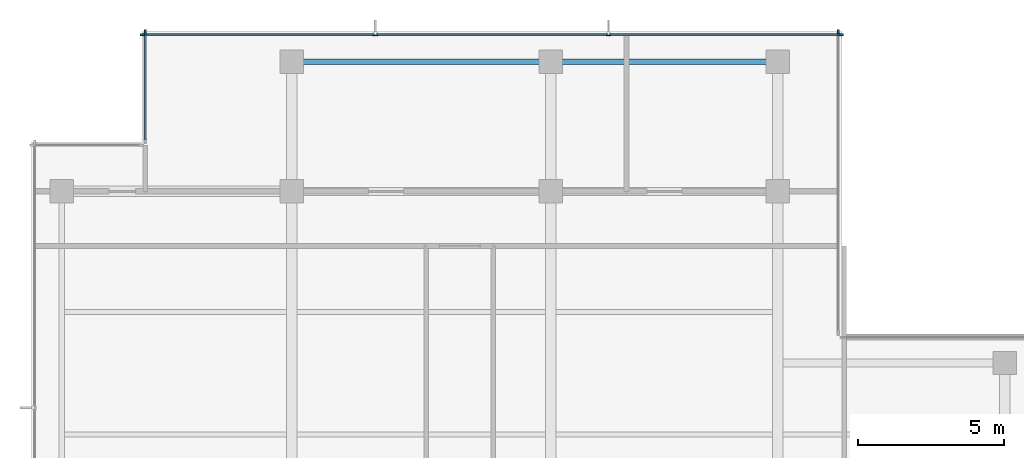
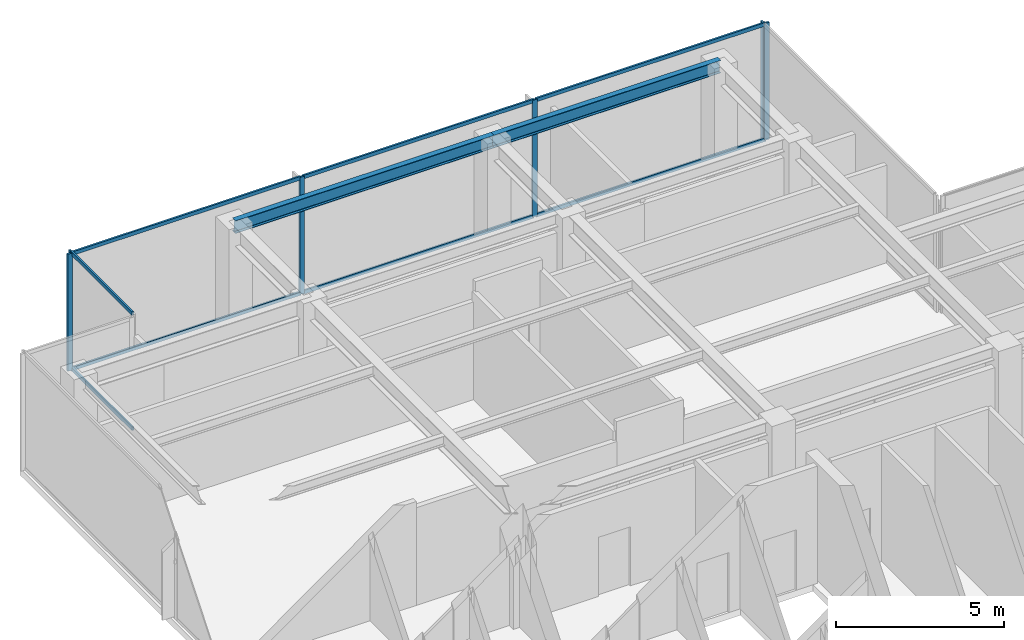
# One storey, part 4 of 11: 14 members, 2 beams, 3 elements without a shape of their own.
"""IFC4 building model written with IfcOpenShell, lengths in metres."""

from ifc_helpers import new_model, si_unit, direction, frame, origin, origin_2d, place, context, subcontext, project, spatial, rectangle, i_section, extrude, material, layer, layer_set, material_profile, profile_set, type_object, element, aggregate, save


model = new_model("IFC4")

# Units and contexts
model_context = context("Model", 3, precision=1e-05, world=origin(), true_north=direction((0.0, 1.0)))
body_context = subcontext(model_context, "Body", "Model", "MODEL_VIEW")
ifc_project = project(units=[si_unit("LENGTHUNIT", "METRE"), si_unit("AREAUNIT", "SQUARE_METRE"), si_unit("VOLUMEUNIT", "CUBIC_METRE"), si_unit("PLANEANGLEUNIT", "RADIAN"), si_unit("MASSUNIT", "GRAM", prefix="KILO")], contexts=[model_context])

# Site, building, storey
site_placement = place(None, origin())
site = spatial("IfcSite", under=ifc_project, at=site_placement, CompositionType="ELEMENT")
building_placement = place(site_placement, origin())
building = spatial("IfcBuilding", under=site, at=building_placement, Name="Qalmaran Belvedere Hotel", CompositionType="ELEMENT")
storey_placement = place(building_placement, frame((0.0, 0.0, 285.39990234375)))
storey = spatial("IfcBuildingStorey", under=building, at=storey_placement, Name="L74", CompositionType="ELEMENT", Elevation=285.39990234375)

# Beams
ifc_material_1 = material(Name="Steel S355JR", Category="steel")
ifc_material_profile_1 = material_profile(ifc_material_1, i_section(OverallWidth=0.19189453125, OverallDepth=0.462890625, WebThickness=0.010498046875, FlangeThickness=0.017578125, FilletRadius=0.01611328125, at=origin_2d()), Name="W460X89")
ifc_profile_set_1 = profile_set([ifc_material_profile_1], Name="Steel S355JR")
beam_type = type_object("IfcBeamType", Name="BM-SP2-W460X89", PredefinedType="SPANDREL", material=ifc_profile_set_1)
beam_1_placement = place(storey_placement, frame((20.300048828125, 37.449951171875, 4.028564453125), z_axis=(1.0, 0.0, 0.0), x_axis=(0.0, 1.0, 0.0)))
element("IfcBeam", 1, at=beam_1_placement, inside=storey, type_object=beam_type, Name="L74 Perimeter Spandrel 04", PredefinedType="SPANDREL", context=body_context, shape_type="SweptSolid", body=[
    extrude(i_section(OverallWidth=0.19189453125, OverallDepth=0.462890625, WebThickness=0.010498046875, FlangeThickness=0.017578125, FilletRadius=0.01611328125, at=origin_2d()), origin(), (0.0, 0.0, 1.0), 8.89990234375),
])
beam_2_placement = place(storey_placement, frame((29.199951171875, 37.449951171875, 4.028564453125), z_axis=(1.0, 0.0, 0.0), x_axis=(0.0, 1.0, 0.0)))
element("IfcBeam", 2, at=beam_2_placement, inside=storey, type_object=beam_type, Name="L74 Perimeter Spandrel 05", PredefinedType="SPANDREL", context=body_context, shape_type="SweptSolid", body=[
    extrude(i_section(OverallWidth=0.19189453125, OverallDepth=0.462890625, WebThickness=0.010498046875, FlangeThickness=0.017578125, FilletRadius=0.01611328125, at=origin_2d()), origin(), (0.0, 0.0, 1.0), 7.800048828125),
])

# Curtain wall, member
ifc_material_2 = material(Name="Anodised Bronze Aluminium", Category="aluminium")
ifc_layer = layer(ifc_material_2, 0.18505859375, Name="Anodised Bronze Aluminium")
ifc_layer_set = layer_set([ifc_layer], Name="Anodised Bronze Aluminium")
curtain_wall_type = type_object("IfcCurtainWallType", Name="CW6-TOWER-SKY", PredefinedType="NOTDEFINED", material=ifc_layer_set)
curtain_wall_1_placement = place(storey_placement, origin())
curtain_wall_1 = element("IfcCurtainWall", 3, at=curtain_wall_1_placement, inside=storey, type_object=curtain_wall_type, Name="L74 Curtain Wall CW6", PredefinedType="NOTDEFINED")
ifc_material_profile_2 = material_profile(ifc_material_2, rectangle(XDim=0.06494140625, YDim=0.1650390625, at=origin_2d()), Name="CWM65X165")
ifc_profile_set_2 = profile_set([ifc_material_profile_2], Name="Anodised Bronze Aluminium")
member_type_1 = type_object("IfcMemberType", Name="CWM-65X165", PredefinedType="MULLION", material=ifc_profile_set_2)
member_1_placement = place(storey_placement, frame((39.080078125, 38.467529296875, 0.0), z_axis=(0.0, 0.0, 1.0), x_axis=(-1.0, 0.0, 0.0)))
member_1 = element("IfcMember", 4, at=member_1_placement, type_object=member_type_1, Name="CW6 mullion 2", PredefinedType="MULLION", context=body_context, shape_type="SweptSolid", body=[
    extrude(rectangle(XDim=0.06494140625, YDim=0.1650390625, at=origin_2d()), origin(), (0.0, 0.0, 1.0), 4.260009765625),
])
aggregate(curtain_wall_1, [member_1])

# Curtain wall, members
curtain_wall_2_placement = place(storey_placement, origin())
curtain_wall_2 = element("IfcCurtainWall", 5, at=curtain_wall_2_placement, inside=storey, type_object=curtain_wall_type, Name="L74 Curtain Wall CW6", PredefinedType="NOTDEFINED")
member_2_placement = place(storey_placement, frame((39.16748046875, 38.3798828125, 0.0), z_axis=(0.0, 0.0, 1.0), x_axis=(0.0, -1.0, 0.0)))
member_2 = element("IfcMember", 6, at=member_2_placement, type_object=member_type_1, Name="CW6 mullion 1", PredefinedType="MULLION", context=body_context, shape_type="SweptSolid", body=[
    extrude(rectangle(XDim=0.06494140625, YDim=0.1650390625, at=origin_2d()), origin(), (0.0, 0.0, 1.0), 4.260009765625),
])
member_3_placement = place(storey_placement, frame((31.183349609375, 38.3798828125, 0.0), z_axis=(0.0, 0.0, 1.0), x_axis=(0.0, -1.0, 0.0)))
member_3 = element("IfcMember", 7, at=member_3_placement, type_object=member_type_1, Name="CW6 mullion 2", PredefinedType="MULLION", context=body_context, shape_type="SweptSolid", body=[
    extrude(rectangle(XDim=0.06494140625, YDim=0.1650390625, at=origin_2d()), origin(), (0.0, 0.0, 1.0), 4.260009765625),
])
member_4_placement = place(storey_placement, frame((23.166748046875, 38.3798828125, 0.0), z_axis=(0.0, 0.0, 1.0), x_axis=(0.0, -1.0, 0.0)))
member_4 = element("IfcMember", 8, at=member_4_placement, type_object=member_type_1, Name="CW6 mullion 3", PredefinedType="MULLION", context=body_context, shape_type="SweptSolid", body=[
    extrude(rectangle(XDim=0.06494140625, YDim=0.1650390625, at=origin_2d()), origin(), (0.0, 0.0, 1.0), 4.260009765625),
])
member_5_placement = place(storey_placement, frame((15.1826171875, 38.3798828125, 0.0), z_axis=(0.0, 0.0, 1.0), x_axis=(0.0, -1.0, 0.0)))
member_5 = element("IfcMember", 9, at=member_5_placement, type_object=member_type_1, Name="CW6 mullion 4", PredefinedType="MULLION", context=body_context, shape_type="SweptSolid", body=[
    extrude(rectangle(XDim=0.06494140625, YDim=0.1650390625, at=origin_2d()), origin(), (0.0, 0.0, 1.0), 4.260009765625),
])

# Curtain wall, member
curtain_wall_3_placement = place(storey_placement, origin())
curtain_wall_3 = element("IfcCurtainWall", 10, at=curtain_wall_3_placement, inside=storey, type_object=curtain_wall_type, Name="L74 Curtain Wall CW6", PredefinedType="NOTDEFINED")
member_6_placement = place(storey_placement, frame((15.27001953125, 38.467529296875, 0.0), z_axis=(0.0, 0.0, 1.0), x_axis=(1.0, 0.0, 0.0)))
member_6 = element("IfcMember", 11, at=member_6_placement, type_object=member_type_1, Name="CW6 mullion 1", PredefinedType="MULLION", context=body_context, shape_type="SweptSolid", body=[
    extrude(rectangle(XDim=0.06494140625, YDim=0.1650390625, at=origin_2d()), origin(), (0.0, 0.0, 1.0), 4.260009765625),
])

# Member
ifc_material_profile_3 = material_profile(ifc_material_2, rectangle(XDim=0.06494140625, YDim=0.1298828125, at=origin_2d()), Name="CWT65X130")
ifc_profile_set_3 = profile_set([ifc_material_profile_3], Name="Anodised Bronze Aluminium")
member_type_2 = type_object("IfcMemberType", Name="CWT-65X130", PredefinedType="USERDEFINED", material=ifc_profile_set_3)
member_7_placement = place(storey_placement, frame((39.135009765625, 38.3798828125, 0.03271484375), z_axis=(-1.0, 0.0, 0.0), x_axis=(0.0, -1.0, 0.0)))
member_7 = element("IfcMember", 12, at=member_7_placement, type_object=member_type_2, Name="CW6 transom 1.1", ObjectType="TRANSOM", PredefinedType="USERDEFINED", context=body_context, shape_type="SweptSolid", body=[
    extrude(rectangle(XDim=0.06494140625, YDim=0.1298828125, at=origin_2d()), origin(), (0.0, 0.0, 1.0), 7.919189453125),
])

member_8_placement = place(storey_placement, frame((39.135009765625, 38.3798828125, 4.2275390625), z_axis=(-1.0, 0.0, 0.0), x_axis=(0.0, -1.0, 0.0)))
member_8 = element("IfcMember", 13, at=member_8_placement, type_object=member_type_2, Name="CW6 transom 1.2", ObjectType="TRANSOM", PredefinedType="USERDEFINED", context=body_context, shape_type="SweptSolid", body=[
    extrude(rectangle(XDim=0.06494140625, YDim=0.1298828125, at=origin_2d()), origin(), (0.0, 0.0, 1.0), 7.919189453125),
])

member_9_placement = place(storey_placement, frame((31.15087890625, 38.3798828125, 0.03271484375), z_axis=(-1.0, 0.0, 0.0), x_axis=(0.0, -1.0, 0.0)))
member_9 = element("IfcMember", 14, at=member_9_placement, type_object=member_type_2, Name="CW6 transom 2.1", ObjectType="TRANSOM", PredefinedType="USERDEFINED", context=body_context, shape_type="SweptSolid", body=[
    extrude(rectangle(XDim=0.06494140625, YDim=0.1298828125, at=origin_2d()), origin(), (0.0, 0.0, 1.0), 7.95166015625),
])

member_10_placement = place(storey_placement, frame((31.15087890625, 38.3798828125, 4.2275390625), z_axis=(-1.0, 0.0, 0.0), x_axis=(0.0, -1.0, 0.0)))
member_10 = element("IfcMember", 15, at=member_10_placement, type_object=member_type_2, Name="CW6 transom 2.2", ObjectType="TRANSOM", PredefinedType="USERDEFINED", context=body_context, shape_type="SweptSolid", body=[
    extrude(rectangle(XDim=0.06494140625, YDim=0.1298828125, at=origin_2d()), origin(), (0.0, 0.0, 1.0), 7.95166015625),
])

member_11_placement = place(storey_placement, frame((23.13427734375, 38.3798828125, 0.03271484375), z_axis=(-1.0, 0.0, 0.0), x_axis=(0.0, -1.0, 0.0)))
member_11 = element("IfcMember", 16, at=member_11_placement, type_object=member_type_2, Name="CW6 transom 3.1", ObjectType="TRANSOM", PredefinedType="USERDEFINED", context=body_context, shape_type="SweptSolid", body=[
    extrude(rectangle(XDim=0.06494140625, YDim=0.1298828125, at=origin_2d()), origin(), (0.0, 0.0, 1.0), 7.919189453125),
])

member_12_placement = place(storey_placement, frame((23.13427734375, 38.3798828125, 4.2275390625), z_axis=(-1.0, 0.0, 0.0), x_axis=(0.0, -1.0, 0.0)))
member_12 = element("IfcMember", 17, at=member_12_placement, type_object=member_type_2, Name="CW6 transom 3.2", ObjectType="TRANSOM", PredefinedType="USERDEFINED", context=body_context, shape_type="SweptSolid", body=[
    extrude(rectangle(XDim=0.06494140625, YDim=0.1298828125, at=origin_2d()), origin(), (0.0, 0.0, 1.0), 7.919189453125),
])

aggregate(curtain_wall_2, [member_2, member_3, member_4, member_5, member_7, member_8, member_9, member_10, member_11, member_12])

member_13_placement = place(storey_placement, frame((15.27001953125, 38.43505859375, 0.03271484375), z_axis=(0.0, -1.0, 0.0), x_axis=(1.0, 0.0, 0.0)))
member_13 = element("IfcMember", 18, at=member_13_placement, type_object=member_type_2, Name="CW6 transom 1.1", ObjectType="TRANSOM", PredefinedType="USERDEFINED", context=body_context, shape_type="SweptSolid", body=[
    extrude(rectangle(XDim=0.06494140625, YDim=0.1298828125, at=origin_2d()), origin(), (0.0, 0.0, 1.0), 3.670166015625),
])

member_14_placement = place(storey_placement, frame((15.27001953125, 38.43505859375, 4.2275390625), z_axis=(0.0, -1.0, 0.0), x_axis=(1.0, 0.0, 0.0)))
member_14 = element("IfcMember", 19, at=member_14_placement, type_object=member_type_2, Name="CW6 transom 1.2", ObjectType="TRANSOM", PredefinedType="USERDEFINED", context=body_context, shape_type="SweptSolid", body=[
    extrude(rectangle(XDim=0.06494140625, YDim=0.1298828125, at=origin_2d()), origin(), (0.0, 0.0, 1.0), 3.670166015625),
])

aggregate(curtain_wall_3, [member_6, member_13, member_14])

save(model, "model.ifc")
